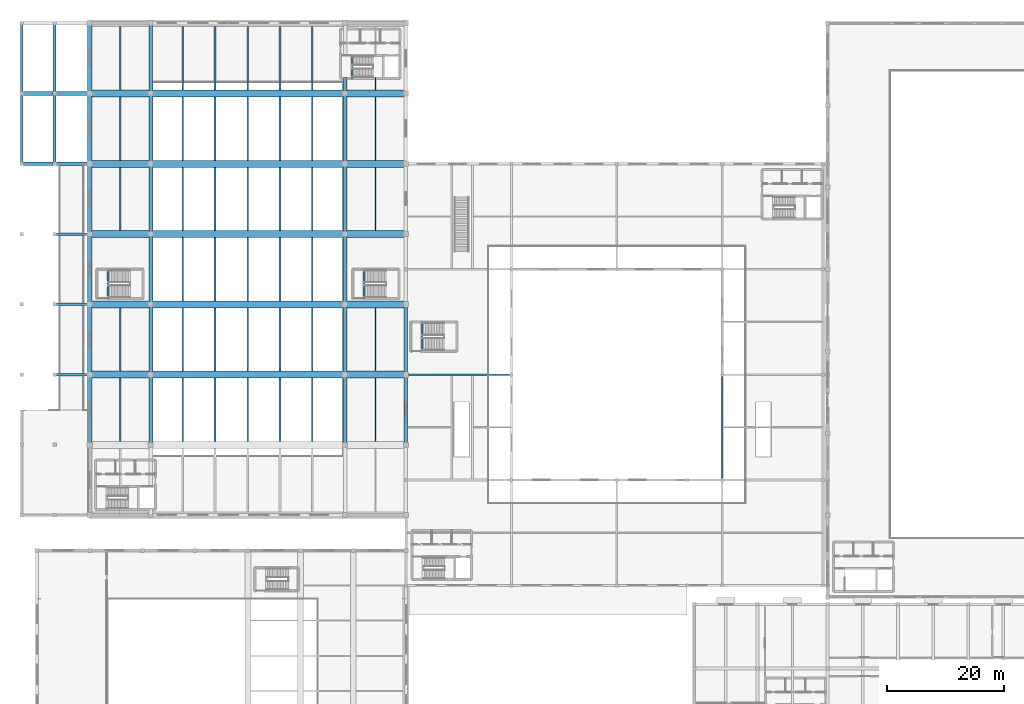
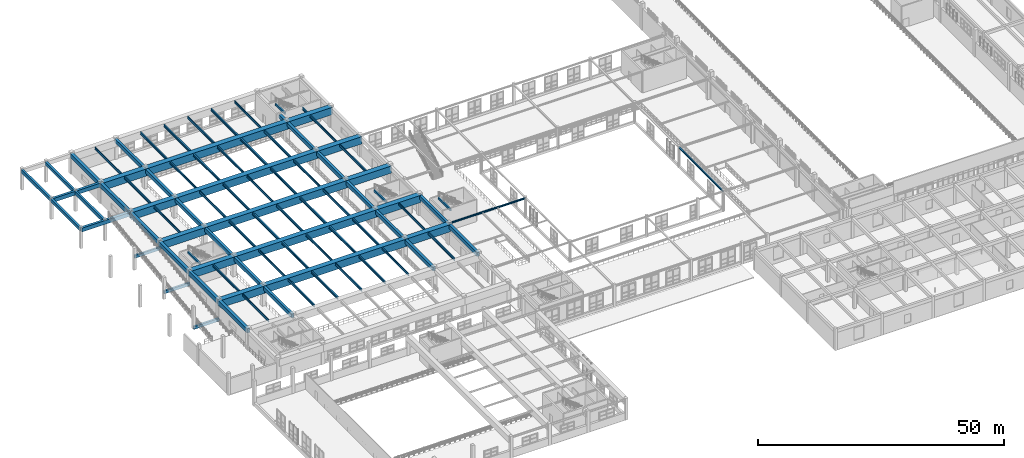
# One storey, part 66 of 197: 90 beams.
"""IFC4 building model written with IfcOpenShell, lengths in metres."""

from ifc_helpers import new_model, si_unit, derived_unit, direction, frame, origin, origin_2d, place, context, subcontext, project, spatial, rectangle, i_section, extrude, material, material_profile, profile_set, type_object, element, save


model = new_model("IFC4")

# Units and contexts
model_context = context("Model", 3, precision=1e-05, world=origin(), true_north=direction((0.0, 1.0)))
body_context = subcontext(model_context, "Body", "Model", "MODEL_VIEW")
ifc_project = project(units=[si_unit("LENGTHUNIT", "METRE"), si_unit("AREAUNIT", "SQUARE_METRE"), si_unit("VOLUMEUNIT", "CUBIC_METRE"), si_unit("PLANEANGLEUNIT", "RADIAN"), si_unit("MASSUNIT", "GRAM", prefix="KILO"), derived_unit("THERMALTRANSMITTANCEUNIT", [(si_unit("POWERUNIT", "WATT"), 1), (si_unit("LENGTHUNIT", "METRE"), -2), (si_unit("THERMODYNAMICTEMPERATUREUNIT", "KELVIN"), -1)])], contexts=[model_context])

# Site, building, storey
site_placement = place(None, origin())
site = spatial("IfcSite", under=ifc_project, at=site_placement, CompositionType="ELEMENT")
building_placement = place(site_placement, origin())
building = spatial("IfcBuilding", under=site, at=building_placement, Name="Almenara Railside Exhibition Hall", CompositionType="ELEMENT")
storey_placement = place(building_placement, frame((0.0, 0.0, 5.39990234375)))
storey = spatial("IfcBuildingStorey", under=building, at=storey_placement, Name="L01", CompositionType="ELEMENT", Elevation=5.39990234375)

# Beams
ifc_material_1 = material(Name="Concrete C35/45", Category="concrete")
ifc_material_profile_1 = material_profile(ifc_material_1, rectangle(XDim=0.449951171875, YDim=0.699951171875, at=origin_2d()), Name="RC 450x700")
ifc_profile_set_1 = profile_set([ifc_material_profile_1], Name="Concrete C35/45")
beam_type_1 = type_object("IfcBeamType", Name="RC Floor Beam 450x700 C35/45", PredefinedType="BEAM", material=ifc_profile_set_1)
for number, where, z_axis, x_axis, name in (
    (1, (6.0, 72.0, 0.072509765625), (1.0, 0.0, 0.0), (0.0, 1.0, 0.0), "BM-TR2-SUP-72"),
    (2, (6.0, 84.0, 1.616943359375), (1.0, 0.0, 0.0), (0.0, 1.0, 0.0), "BM-TR2-SUP-84"),
    (3, (6.0, 96.0, 3.1611328125), (1.0, 0.0, 0.0), (0.0, 1.0, 0.0), "BM-TR2-SUP-96"),
):
    element("IfcBeam", number, at=place(storey_placement, frame(where, z_axis=z_axis, x_axis=x_axis)), inside=storey, type_object=beam_type_1, Name=name, PredefinedType="BEAM", context=body_context, shape_type="SweptSolid", body=[
        extrude(rectangle(XDim=0.449951171875, YDim=0.699951171875, at=origin_2d()), origin(), (0.0, 0.0, 1.0), 6.0),
    ])
ifc_material_2 = material(Name="Concrete C40/50", Category="concrete")
ifc_material_profile_2 = material_profile(ifc_material_2, rectangle(XDim=0.60009765625, YDim=0.949951171875, at=origin_2d()), Name="RC 600x950")
ifc_profile_set_2 = profile_set([ifc_material_profile_2], Name="Concrete C40/50")
beam_type_2 = type_object("IfcBeamType", Name="RC Hall Edge Beam 600x950 C40/50", PredefinedType="BEAM", material=ifc_profile_set_2)
for number, where, z_axis, x_axis, name in (
    (4, (22.39990234375, 60.0, 4.52099609375), (0.0, 1.0, 0.0), (-1.0, 0.0, 0.0), "Beam 0595"),
    (5, (55.60009765625, 60.0, 4.52099609375), (0.0, 1.0, 0.0), (-1.0, 0.0, 0.0), "Beam 0601"),
    (6, (66.0, 60.0, 4.52099609375), (0.0, 1.0, 0.0), (-1.0, 0.0, 0.0), "Beam 0603"),
    (7, (22.39990234375, 72.0, 4.52099609375), (0.0, 1.0, 0.0), (-1.0, 0.0, 0.0), "Beam 0606"),
    (8, (55.60009765625, 72.0, 4.52099609375), (0.0, 1.0, 0.0), (-1.0, 0.0, 0.0), "Beam 0612"),
    (9, (66.0, 72.0, 4.52099609375), (0.0, 1.0, 0.0), (-1.0, 0.0, 0.0), "Beam 0614"),
    (10, (22.39990234375, 84.0, 4.52099609375), (0.0, 1.0, 0.0), (-1.0, 0.0, 0.0), "Beam 0617"),
    (11, (55.60009765625, 84.0, 4.52099609375), (0.0, 1.0, 0.0), (-1.0, 0.0, 0.0), "Beam 0623"),
    (12, (22.39990234375, 96.0, 4.52099609375), (0.0, 1.0, 0.0), (-1.0, 0.0, 0.0), "Beam 0628"),
    (13, (55.60009765625, 96.0, 4.52099609375), (0.0, 1.0, 0.0), (-1.0, 0.0, 0.0), "Beam 0634"),
    (14, (22.39990234375, 108.0, 4.52099609375), (0.0, 1.0, 0.0), (-1.0, 0.0, 0.0), "Beam 0639"),
    (15, (55.60009765625, 108.0, 4.52099609375), (0.0, 1.0, 0.0), (-1.0, 0.0, 0.0), "Beam 0645"),
    (16, (22.39990234375, 120.0, 4.52099609375), (0.0, 1.0, 0.0), (-1.0, 0.0, 0.0), "Beam 0650"),
):
    element("IfcBeam", number, at=place(storey_placement, frame(where, z_axis=z_axis, x_axis=x_axis)), inside=storey, type_object=beam_type_2, Name=name, PredefinedType="BEAM", context=body_context, shape_type="SweptSolid", body=[
        extrude(rectangle(XDim=0.60009765625, YDim=0.949951171875, at=origin_2d()), origin(), (0.0, 0.0, 1.0), 12.0),
    ])
beam_1_placement = place(storey_placement, frame((55.60009765625, 120.0, 4.52099609375), z_axis=(0.0, 1.0, 0.0), x_axis=(-1.0, 0.0, 0.0)))
element("IfcBeam", 17, at=beam_1_placement, inside=storey, type_object=beam_type_2, Name="Beam 0656", PredefinedType="BEAM", context=body_context, shape_type="SweptSolid", body=[
    extrude(rectangle(XDim=0.60009765625, YDim=0.949951171875, at=origin_2d()), origin(), (0.0, 0.0, 1.0), 2.699951171875),
])
for number, where, z_axis, x_axis, name in (
    (18, (0.39990234375, 108.0, 4.541015625), (1.0, 0.0, 0.0), (0.0, 1.0, 0.0), "Beam 0940"),
    (19, (0.39990234375, 120.0, 4.541015625), (1.0, 0.0, 0.0), (0.0, 1.0, 0.0), "Beam 0942"),
):
    element("IfcBeam", number, at=place(storey_placement, frame(where, z_axis=z_axis, x_axis=x_axis)), inside=storey, type_object=beam_type_2, Name=name, PredefinedType="BEAM", context=body_context, shape_type="SweptSolid", body=[
        extrude(rectangle(XDim=0.60009765625, YDim=0.949951171875, at=origin_2d()), origin(), (0.0, 0.0, 1.0), 11.60009765625),
    ])
ifc_material_profile_3 = material_profile(ifc_material_2, rectangle(XDim=0.699951171875, YDim=1.050048828125, at=origin_2d()), Name="RC 700x1050")
ifc_profile_set_3 = profile_set([ifc_material_profile_3], Name="Concrete C40/50")
beam_type_3 = type_object("IfcBeamType", Name="RC Heavy Frame Beam 700x1050 C40/50", PredefinedType="BEAM", material=ifc_profile_set_3)
for number, where, z_axis, x_axis, name in (
    (20, (12.0, 60.0, 4.47119140625), (0.0, 1.0, 0.0), (-1.0, 0.0, 0.0), "Beam 0593"),
    (21, (12.0, 72.0, 4.47119140625), (0.0, 1.0, 0.0), (-1.0, 0.0, 0.0), "Beam 0604"),
    (22, (12.0, 84.0, 4.47119140625), (0.0, 1.0, 0.0), (-1.0, 0.0, 0.0), "Beam 0615"),
    (23, (12.0, 96.0, 4.47119140625), (0.0, 1.0, 0.0), (-1.0, 0.0, 0.0), "Beam 0626"),
    (24, (12.0, 108.0, 4.47119140625), (0.0, 1.0, 0.0), (-1.0, 0.0, 0.0), "Beam 0637"),
    (25, (12.0, 120.0, 4.47119140625), (0.0, 1.0, 0.0), (-1.0, 0.0, 0.0), "Beam 0648"),
):
    element("IfcBeam", number, at=place(storey_placement, frame(where, z_axis=z_axis, x_axis=x_axis)), inside=storey, type_object=beam_type_3, Name=name, PredefinedType="BEAM", context=body_context, shape_type="SweptSolid", body=[
        extrude(rectangle(XDim=0.699951171875, YDim=1.050048828125, at=origin_2d()), origin(), (0.0, 0.0, 1.0), 12.0),
    ])
ifc_material_profile_4 = material_profile(ifc_material_1, rectangle(XDim=0.5, YDim=0.800048828125, at=origin_2d()), Name="RC 500x800")
ifc_profile_set_4 = profile_set([ifc_material_profile_4], Name="Concrete C35/45")
beam_type_4 = type_object("IfcBeamType", Name="RC Primary Beam 500x800 C35/45", PredefinedType="BEAM", material=ifc_profile_set_4)
for number, where, z_axis, x_axis, name in (
    (26, (0.39990234375, 108.0, 4.6162109375), (0.0, 1.0, 0.0), (-1.0, 0.0, 0.0), "Beam 0946"),
    (27, (0.39990234375, 120.0, 4.6162109375), (0.0, 1.0, 0.0), (-1.0, 0.0, 0.0), "Beam 0947"),
    (28, (6.0, 108.0, 4.6162109375), (0.0, 1.0, 0.0), (-1.0, 0.0, 0.0), "Beam 0948"),
    (29, (6.0, 120.0, 4.6162109375), (0.0, 1.0, 0.0), (-1.0, 0.0, 0.0), "Beam 0949"),
):
    element("IfcBeam", number, at=place(storey_placement, frame(where, z_axis=z_axis, x_axis=x_axis)), inside=storey, type_object=beam_type_4, Name=name, PredefinedType="BEAM", context=body_context, shape_type="SweptSolid", body=[
        extrude(rectangle(XDim=0.5, YDim=0.800048828125, at=origin_2d()), origin(), (0.0, 0.0, 1.0), 12.0),
    ])
ifc_material_profile_5 = material_profile(ifc_material_1, rectangle(XDim=0.35009765625, YDim=0.5, at=origin_2d()), Name="RC 350x500")
ifc_profile_set_5 = profile_set([ifc_material_profile_5], Name="Concrete C35/45")
beam_type_5 = type_object("IfcBeamType", Name="RC Spandrel Tie Beam 350x500 C35/45", PredefinedType="SPANDREL", material=ifc_profile_set_5)
beam_2_placement = place(storey_placement, frame((56.75, 122.60009765625, 4.74609375), z_axis=(0.0, 1.0, 0.0), x_axis=(-1.0, 0.0, 0.0)))
element("IfcBeam", 30, at=beam_2_placement, inside=storey, type_object=beam_type_5, Name="Stair trimmer ST-C2-L01", PredefinedType="SPANDREL", context=body_context, shape_type="SweptSolid", body=[
    extrude(rectangle(XDim=0.35009765625, YDim=0.5, at=origin_2d()), origin(), (0.0, 0.0, 1.0), 3.89990234375),
])
for number, where, z_axis, x_axis, name in (
    (31, (15.14990234375, 85.0, 4.74609375), (0.0, 1.0, 0.0), (-1.0, 0.0, 0.0), "Stair trimmer HST1-L01"),
    (32, (58.85009765625, 85.0, 4.74609375), (0.0, 1.0, 0.0), (-1.0, 0.0, 0.0), "Stair trimmer HST2-L01"),
    (33, (68.75, 76.0, 4.885986328125), (0.0, 1.0, 0.0), (-1.0, 0.0, 0.0), "Stair trimmer HST3-L01"),
):
    element("IfcBeam", number, at=place(storey_placement, frame(where, z_axis=z_axis, x_axis=x_axis)), inside=storey, type_object=beam_type_5, Name=name, PredefinedType="SPANDREL", context=body_context, shape_type="SweptSolid", body=[
        extrude(rectangle(XDim=0.35009765625, YDim=0.5, at=origin_2d()), origin(), (0.0, 0.0, 1.0), 5.0),
    ])
ifc_material_profile_6 = material_profile(ifc_material_2, rectangle(XDim=1.199951171875, YDim=1.800048828125, at=origin_2d()), Name="RC 1200x1800")
ifc_profile_set_6 = profile_set([ifc_material_profile_6], Name="Concrete C40/50")
beam_type_6 = type_object("IfcBeamType", Name="RC Transfer Girder 1200x1800 C40/50", PredefinedType="USERDEFINED", material=ifc_profile_set_6)
beam_3_placement = place(storey_placement, frame((12.0, 72.0, 4.09619140625), z_axis=(1.0, 0.0, 0.0), x_axis=(0.0, 1.0, 0.0)))
element("IfcBeam", 34, at=beam_3_placement, inside=storey, type_object=beam_type_6, Name="Beam 0562", ObjectType="GIRDER", PredefinedType="USERDEFINED", context=body_context, shape_type="SweptSolid", body=[
    extrude(rectangle(XDim=1.199951171875, YDim=1.800048828125, at=origin_2d()), origin(), (0.0, 0.0, 1.0), 10.39990234375),
])
beam_4_placement = place(storey_placement, frame((22.39990234375, 72.0, 4.09619140625), z_axis=(1.0, 0.0, 0.0), x_axis=(0.0, 1.0, 0.0)))
element("IfcBeam", 35, at=beam_4_placement, inside=storey, type_object=beam_type_6, Name="Beam 0563", ObjectType="GIRDER", PredefinedType="USERDEFINED", context=body_context, shape_type="SweptSolid", body=[
    extrude(rectangle(XDim=1.199951171875, YDim=1.800048828125, at=origin_2d()), origin(), (0.0, 0.0, 1.0), 33.2001953125),
])
for number, where, z_axis, x_axis, name in (
    (36, (55.60009765625, 72.0, 4.09619140625), (1.0, 0.0, 0.0), (0.0, 1.0, 0.0), "Beam 0564"),
    (37, (12.0, 84.0, 4.09619140625), (1.0, 0.0, 0.0), (0.0, 1.0, 0.0), "Beam 0565"),
):
    element("IfcBeam", number, at=place(storey_placement, frame(where, z_axis=z_axis, x_axis=x_axis)), inside=storey, type_object=beam_type_6, Name=name, ObjectType="GIRDER", PredefinedType="USERDEFINED", context=body_context, shape_type="SweptSolid", body=[
        extrude(rectangle(XDim=1.199951171875, YDim=1.800048828125, at=origin_2d()), origin(), (0.0, 0.0, 1.0), 10.39990234375),
    ])
beam_5_placement = place(storey_placement, frame((22.39990234375, 84.0, 4.09619140625), z_axis=(1.0, 0.0, 0.0), x_axis=(0.0, 1.0, 0.0)))
element("IfcBeam", 38, at=beam_5_placement, inside=storey, type_object=beam_type_6, Name="Beam 0566", ObjectType="GIRDER", PredefinedType="USERDEFINED", context=body_context, shape_type="SweptSolid", body=[
    extrude(rectangle(XDim=1.199951171875, YDim=1.800048828125, at=origin_2d()), origin(), (0.0, 0.0, 1.0), 33.2001953125),
])
for number, where, z_axis, x_axis, name in (
    (39, (55.60009765625, 84.0, 4.09619140625), (1.0, 0.0, 0.0), (0.0, 1.0, 0.0), "Beam 0567"),
    (40, (12.0, 96.0, 4.09619140625), (1.0, 0.0, 0.0), (0.0, 1.0, 0.0), "Beam 0568"),
):
    element("IfcBeam", number, at=place(storey_placement, frame(where, z_axis=z_axis, x_axis=x_axis)), inside=storey, type_object=beam_type_6, Name=name, ObjectType="GIRDER", PredefinedType="USERDEFINED", context=body_context, shape_type="SweptSolid", body=[
        extrude(rectangle(XDim=1.199951171875, YDim=1.800048828125, at=origin_2d()), origin(), (0.0, 0.0, 1.0), 10.39990234375),
    ])
beam_6_placement = place(storey_placement, frame((22.39990234375, 96.0, 4.09619140625), z_axis=(1.0, 0.0, 0.0), x_axis=(0.0, 1.0, 0.0)))
element("IfcBeam", 41, at=beam_6_placement, inside=storey, type_object=beam_type_6, Name="Beam 0569", ObjectType="GIRDER", PredefinedType="USERDEFINED", context=body_context, shape_type="SweptSolid", body=[
    extrude(rectangle(XDim=1.199951171875, YDim=1.800048828125, at=origin_2d()), origin(), (0.0, 0.0, 1.0), 33.2001953125),
])
for number, where, z_axis, x_axis, name in (
    (42, (55.60009765625, 96.0, 4.09619140625), (1.0, 0.0, 0.0), (0.0, 1.0, 0.0), "Beam 0570"),
    (43, (12.0, 108.0, 4.09619140625), (1.0, 0.0, 0.0), (0.0, 1.0, 0.0), "Beam 0571"),
):
    element("IfcBeam", number, at=place(storey_placement, frame(where, z_axis=z_axis, x_axis=x_axis)), inside=storey, type_object=beam_type_6, Name=name, ObjectType="GIRDER", PredefinedType="USERDEFINED", context=body_context, shape_type="SweptSolid", body=[
        extrude(rectangle(XDim=1.199951171875, YDim=1.800048828125, at=origin_2d()), origin(), (0.0, 0.0, 1.0), 10.39990234375),
    ])
beam_7_placement = place(storey_placement, frame((22.39990234375, 108.0, 4.09619140625), z_axis=(1.0, 0.0, 0.0), x_axis=(0.0, 1.0, 0.0)))
element("IfcBeam", 44, at=beam_7_placement, inside=storey, type_object=beam_type_6, Name="Beam 0572", ObjectType="GIRDER", PredefinedType="USERDEFINED", context=body_context, shape_type="SweptSolid", body=[
    extrude(rectangle(XDim=1.199951171875, YDim=1.800048828125, at=origin_2d()), origin(), (0.0, 0.0, 1.0), 33.2001953125),
])
for number, where, z_axis, x_axis, name in (
    (45, (55.60009765625, 108.0, 4.09619140625), (1.0, 0.0, 0.0), (0.0, 1.0, 0.0), "Beam 0573"),
    (46, (12.0, 120.0, 4.09619140625), (1.0, 0.0, 0.0), (0.0, 1.0, 0.0), "Beam 0574"),
):
    element("IfcBeam", number, at=place(storey_placement, frame(where, z_axis=z_axis, x_axis=x_axis)), inside=storey, type_object=beam_type_6, Name=name, ObjectType="GIRDER", PredefinedType="USERDEFINED", context=body_context, shape_type="SweptSolid", body=[
        extrude(rectangle(XDim=1.199951171875, YDim=1.800048828125, at=origin_2d()), origin(), (0.0, 0.0, 1.0), 10.39990234375),
    ])
beam_8_placement = place(storey_placement, frame((22.39990234375, 120.0, 4.09619140625), z_axis=(1.0, 0.0, 0.0), x_axis=(0.0, 1.0, 0.0)))
element("IfcBeam", 47, at=beam_8_placement, inside=storey, type_object=beam_type_6, Name="Beam 0575", ObjectType="GIRDER", PredefinedType="USERDEFINED", context=body_context, shape_type="SweptSolid", body=[
    extrude(rectangle(XDim=1.199951171875, YDim=1.800048828125, at=origin_2d()), origin(), (0.0, 0.0, 1.0), 33.2001953125),
])
beam_9_placement = place(storey_placement, frame((55.60009765625, 120.0, 4.09619140625), z_axis=(1.0, 0.0, 0.0), x_axis=(0.0, 1.0, 0.0)))
element("IfcBeam", 48, at=beam_9_placement, inside=storey, type_object=beam_type_6, Name="Beam 0576", ObjectType="GIRDER", PredefinedType="USERDEFINED", context=body_context, shape_type="SweptSolid", body=[
    extrude(rectangle(XDim=1.199951171875, YDim=1.800048828125, at=origin_2d()), origin(), (0.0, 0.0, 1.0), 10.39990234375),
])
ifc_material_3 = material(Name="Structural steel S355JR", Category="steel")
ifc_material_profile_7 = material_profile(ifc_material_3, i_section(OverallWidth=0.300048828125, OverallDepth=0.31005859375, WebThickness=0.009033203125, FlangeThickness=0.015380859375, FilletRadius=0.027099609375, at=origin_2d()), Name="HEA 320")
ifc_profile_set_7 = profile_set([ifc_material_profile_7], Name="Structural steel S355JR")
beam_type_7 = type_object("IfcBeamType", Name="Steel Concourse Edge Beam HEA 320 S355JR", PredefinedType="BEAM", material=ifc_profile_set_7)
beam_10_placement = place(storey_placement, frame((120.0, 54.0, 4.93115234375), z_axis=(0.0, 1.0, 0.0), x_axis=(-1.0, 0.0, 0.0)))
element("IfcBeam", 49, at=beam_10_placement, inside=storey, type_object=beam_type_7, Name="Beam 0819", PredefinedType="BEAM", context=body_context, shape_type="SweptSolid", body=[
    extrude(i_section(OverallWidth=0.300048828125, OverallDepth=0.31005859375, WebThickness=0.009033203125, FlangeThickness=0.015380859375, FilletRadius=0.027099609375, at=origin_2d()), origin(), (0.0, 0.0, 1.0), 18.0),
])
ifc_material_profile_8 = material_profile(ifc_material_3, i_section(OverallWidth=0.300048828125, OverallDepth=0.35009765625, WebThickness=0.010009765625, FlangeThickness=0.017578125, FilletRadius=0.027099609375, at=origin_2d()), Name="HEA 360")
ifc_profile_set_8 = profile_set([ifc_material_profile_8], Name="Structural steel S355JR")
beam_type_8 = type_object("IfcBeamType", Name="Steel Concourse Frame Beam HEA 360 S355JR", PredefinedType="BEAM", material=ifc_profile_set_8)
beam_11_placement = place(storey_placement, frame((66.0, 72.0, 4.9150390625), z_axis=(1.0, 0.0, 0.0), x_axis=(0.0, 1.0, 0.0)))
element("IfcBeam", 50, at=beam_11_placement, inside=storey, type_object=beam_type_8, Name="Beam 0794", PredefinedType="BEAM", context=body_context, shape_type="SweptSolid", body=[
    extrude(i_section(OverallWidth=0.300048828125, OverallDepth=0.35009765625, WebThickness=0.010009765625, FlangeThickness=0.017578125, FilletRadius=0.027099609375, at=origin_2d()), origin(), (0.0, 0.0, 1.0), 18.0),
])
ifc_material_profile_9 = material_profile(ifc_material_3, i_section(OverallWidth=0.22900390625, OverallDepth=0.6123046875, WebThickness=0.011962890625, FlangeThickness=0.01953125, FilletRadius=0.0126953125, at=origin_2d()), Name="UB 610x229x125")
ifc_profile_set_9 = profile_set([ifc_material_profile_9], Name="Structural steel S355JR")
beam_type_9 = type_object("IfcBeamType", Name="Steel Gallery Girder UB 610x229x125 S355JR", PredefinedType="USERDEFINED", material=ifc_profile_set_9)
for number, where, z_axis, x_axis, name in (
    (51, (17.199951171875, 60.60009765625, 4.68994140625), (0.0, 1.0, 0.0), (-1.0, 0.0, 0.0), "Beam 0594"),
    (52, (27.89990234375, 60.60009765625, 4.68994140625), (0.0, 1.0, 0.0), (-1.0, 0.0, 0.0), "Beam 0596"),
    (53, (39.0, 60.60009765625, 4.68994140625), (0.0, 1.0, 0.0), (-1.0, 0.0, 0.0), "Beam 0598"),
    (54, (50.0, 60.60009765625, 4.68994140625), (0.0, 1.0, 0.0), (-1.0, 0.0, 0.0), "Beam 0600"),
    (55, (60.800048828125, 60.60009765625, 4.68994140625), (0.0, 1.0, 0.0), (-1.0, 0.0, 0.0), "Beam 0602"),
    (56, (17.199951171875, 72.60009765625, 4.68994140625), (0.0, 1.0, 0.0), (-1.0, 0.0, 0.0), "Beam 0605"),
    (57, (27.89990234375, 72.60009765625, 4.68994140625), (0.0, 1.0, 0.0), (-1.0, 0.0, 0.0), "Beam 0607"),
    (58, (39.0, 72.60009765625, 4.68994140625), (0.0, 1.0, 0.0), (-1.0, 0.0, 0.0), "Beam 0609"),
    (59, (50.0, 72.60009765625, 4.68994140625), (0.0, 1.0, 0.0), (-1.0, 0.0, 0.0), "Beam 0611"),
    (60, (60.800048828125, 72.60009765625, 4.68994140625), (0.0, 1.0, 0.0), (-1.0, 0.0, 0.0), "Beam 0613"),
    (61, (27.89990234375, 84.60009765625, 4.68994140625), (0.0, 1.0, 0.0), (-1.0, 0.0, 0.0), "Beam 0618"),
    (62, (39.0, 84.60009765625, 4.68994140625), (0.0, 1.0, 0.0), (-1.0, 0.0, 0.0), "Beam 0620"),
    (63, (50.0, 84.60009765625, 4.68994140625), (0.0, 1.0, 0.0), (-1.0, 0.0, 0.0), "Beam 0622"),
    (64, (17.199951171875, 96.60009765625, 4.68994140625), (0.0, 1.0, 0.0), (-1.0, 0.0, 0.0), "Beam 0627"),
    (65, (27.89990234375, 96.60009765625, 4.68994140625), (0.0, 1.0, 0.0), (-1.0, 0.0, 0.0), "Beam 0629"),
    (66, (39.0, 96.60009765625, 4.68994140625), (0.0, 1.0, 0.0), (-1.0, 0.0, 0.0), "Beam 0631"),
    (67, (50.0, 96.60009765625, 4.68994140625), (0.0, 1.0, 0.0), (-1.0, 0.0, 0.0), "Beam 0633"),
    (68, (60.800048828125, 96.60009765625, 4.68994140625), (0.0, 1.0, 0.0), (-1.0, 0.0, 0.0), "Beam 0635"),
    (69, (17.199951171875, 108.60009765625, 4.68994140625), (0.0, 1.0, 0.0), (-1.0, 0.0, 0.0), "Beam 0638"),
    (70, (27.89990234375, 108.60009765625, 4.68994140625), (0.0, 1.0, 0.0), (-1.0, 0.0, 0.0), "Beam 0640"),
    (71, (39.0, 108.60009765625, 4.68994140625), (0.0, 1.0, 0.0), (-1.0, 0.0, 0.0), "Beam 0642"),
    (72, (50.0, 108.60009765625, 4.68994140625), (0.0, 1.0, 0.0), (-1.0, 0.0, 0.0), "Beam 0644"),
    (73, (60.800048828125, 108.60009765625, 4.68994140625), (0.0, 1.0, 0.0), (-1.0, 0.0, 0.0), "Beam 0646"),
):
    element("IfcBeam", number, at=place(storey_placement, frame(where, z_axis=z_axis, x_axis=x_axis)), inside=storey, type_object=beam_type_9, Name=name, ObjectType="GIRDER", PredefinedType="USERDEFINED", context=body_context, shape_type="SweptSolid", body=[
        extrude(i_section(OverallWidth=0.22900390625, OverallDepth=0.6123046875, WebThickness=0.011962890625, FlangeThickness=0.01953125, FilletRadius=0.0126953125, at=origin_2d()), origin(), (0.0, 0.0, 1.0), 10.7998046875),
    ])
for number, where, z_axis, x_axis, name in (
    (74, (17.199951171875, 120.60009765625, 4.68994140625), (0.0, 1.0, 0.0), (-1.0, 0.0, 0.0), "Beam 0649"),
    (75, (27.89990234375, 120.60009765625, 4.68994140625), (0.0, 1.0, 0.0), (-1.0, 0.0, 0.0), "Beam 0651"),
    (76, (39.0, 120.60009765625, 4.68994140625), (0.0, 1.0, 0.0), (-1.0, 0.0, 0.0), "Beam 0653"),
    (77, (50.0, 120.60009765625, 4.68994140625), (0.0, 1.0, 0.0), (-1.0, 0.0, 0.0), "Beam 0655"),
):
    element("IfcBeam", number, at=place(storey_placement, frame(where, z_axis=z_axis, x_axis=x_axis)), inside=storey, type_object=beam_type_9, Name=name, ObjectType="GIRDER", PredefinedType="USERDEFINED", context=body_context, shape_type="SweptSolid", body=[
        extrude(i_section(OverallWidth=0.22900390625, OverallDepth=0.6123046875, WebThickness=0.011962890625, FlangeThickness=0.01953125, FilletRadius=0.0126953125, at=origin_2d()), origin(), (0.0, 0.0, 1.0), 10.849853515625),
    ])
beam_12_placement = place(storey_placement, frame((60.800048828125, 120.60009765625, 4.68994140625), z_axis=(0.0, 1.0, 0.0), x_axis=(-1.0, 0.0, 0.0)))
element("IfcBeam", 78, at=beam_12_placement, inside=storey, type_object=beam_type_9, Name="Beam 0658", ObjectType="GIRDER", PredefinedType="USERDEFINED", context=body_context, shape_type="SweptSolid", body=[
    extrude(i_section(OverallWidth=0.22900390625, OverallDepth=0.6123046875, WebThickness=0.011962890625, FlangeThickness=0.01953125, FilletRadius=0.0126953125, at=origin_2d()), origin(), (0.0, 0.0, 1.0), 2.099853515625),
])
ifc_material_profile_10 = material_profile(ifc_material_3, i_section(OverallWidth=0.3046875, OverallDepth=0.6123046875, WebThickness=0.01171875, FlangeThickness=0.019775390625, FilletRadius=0.0166015625, at=origin_2d()), Name="UB 610x305x149")
ifc_profile_set_10 = profile_set([ifc_material_profile_10], Name="Structural steel S355JR")
beam_type_10 = type_object("IfcBeamType", Name="Steel Transfer Secondary Girder UB 610x305x149 S355JR", PredefinedType="USERDEFINED", material=ifc_profile_set_10)
for number, where, z_axis, x_axis, name in (
    (79, (33.39990234375, 60.60009765625, 4.68994140625), (0.0, 1.0, 0.0), (-1.0, 0.0, 0.0), "Beam 0597"),
    (80, (44.5, 60.60009765625, 4.68994140625), (0.0, 1.0, 0.0), (-1.0, 0.0, 0.0), "Beam 0599"),
    (81, (33.39990234375, 72.60009765625, 4.68994140625), (0.0, 1.0, 0.0), (-1.0, 0.0, 0.0), "Beam 0608"),
    (82, (44.5, 72.60009765625, 4.68994140625), (0.0, 1.0, 0.0), (-1.0, 0.0, 0.0), "Beam 0610"),
    (83, (33.39990234375, 84.60009765625, 4.68994140625), (0.0, 1.0, 0.0), (-1.0, 0.0, 0.0), "Beam 0619"),
    (84, (44.5, 84.60009765625, 4.68994140625), (0.0, 1.0, 0.0), (-1.0, 0.0, 0.0), "Beam 0621"),
    (85, (33.39990234375, 96.60009765625, 4.68994140625), (0.0, 1.0, 0.0), (-1.0, 0.0, 0.0), "Beam 0630"),
    (86, (44.5, 96.60009765625, 4.68994140625), (0.0, 1.0, 0.0), (-1.0, 0.0, 0.0), "Beam 0632"),
    (87, (33.39990234375, 108.60009765625, 4.68994140625), (0.0, 1.0, 0.0), (-1.0, 0.0, 0.0), "Beam 0641"),
    (88, (44.5, 108.60009765625, 4.68994140625), (0.0, 1.0, 0.0), (-1.0, 0.0, 0.0), "Beam 0643"),
):
    element("IfcBeam", number, at=place(storey_placement, frame(where, z_axis=z_axis, x_axis=x_axis)), inside=storey, type_object=beam_type_10, Name=name, ObjectType="GIRDER", PredefinedType="USERDEFINED", context=body_context, shape_type="SweptSolid", body=[
        extrude(i_section(OverallWidth=0.3046875, OverallDepth=0.6123046875, WebThickness=0.01171875, FlangeThickness=0.019775390625, FilletRadius=0.0166015625, at=origin_2d()), origin(), (0.0, 0.0, 1.0), 10.7998046875),
    ])
for number, where, z_axis, x_axis, name in (
    (89, (33.39990234375, 120.60009765625, 4.68994140625), (0.0, 1.0, 0.0), (-1.0, 0.0, 0.0), "Beam 0652"),
    (90, (44.5, 120.60009765625, 4.68994140625), (0.0, 1.0, 0.0), (-1.0, 0.0, 0.0), "Beam 0654"),
):
    element("IfcBeam", number, at=place(storey_placement, frame(where, z_axis=z_axis, x_axis=x_axis)), inside=storey, type_object=beam_type_10, Name=name, ObjectType="GIRDER", PredefinedType="USERDEFINED", context=body_context, shape_type="SweptSolid", body=[
        extrude(i_section(OverallWidth=0.3046875, OverallDepth=0.6123046875, WebThickness=0.01171875, FlangeThickness=0.019775390625, FilletRadius=0.0166015625, at=origin_2d()), origin(), (0.0, 0.0, 1.0), 10.849853515625),
    ])

save(model, "model.ifc")
